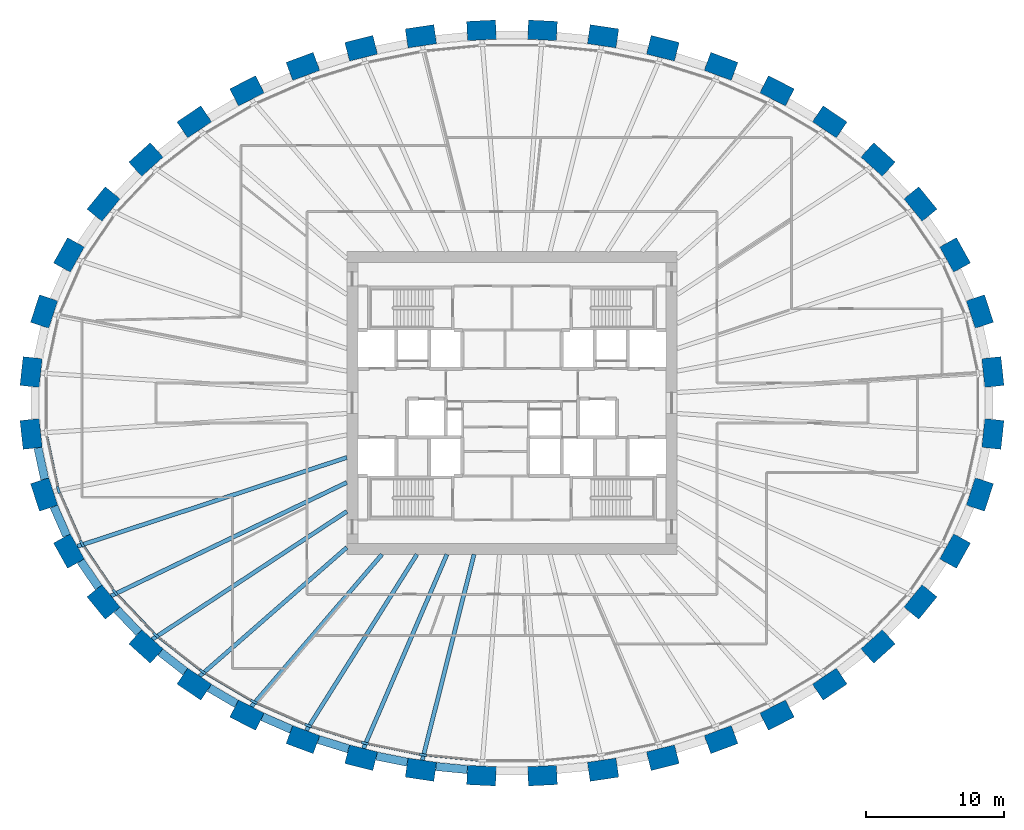
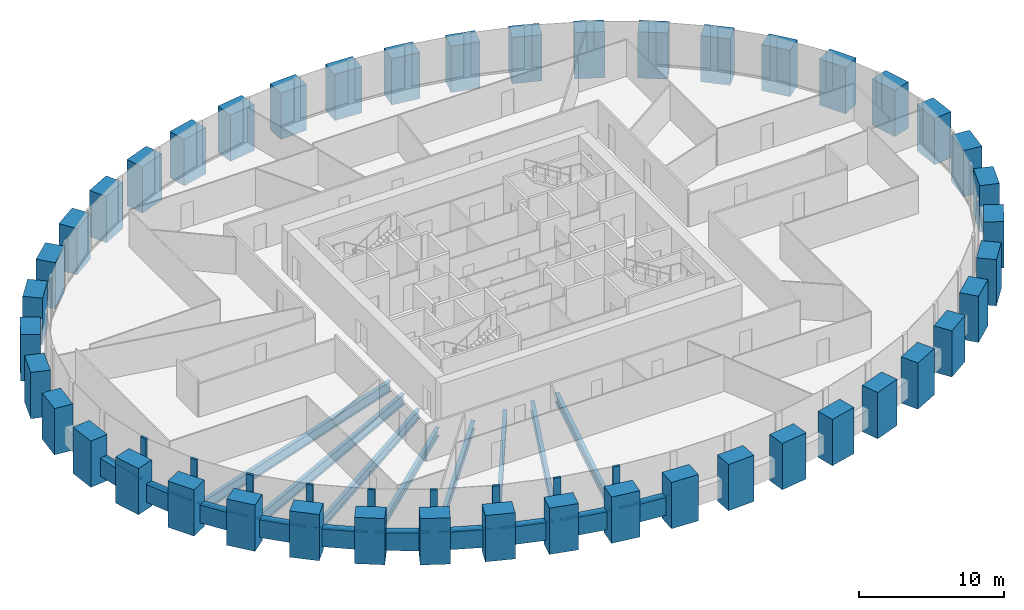
# One storey, part 1 of 11: 44 columns, 19 members, 18 beams, 1 element without a shape of its own.
"""IFC4 building model written with IfcOpenShell, lengths in metres."""

from ifc_helpers import new_model, si_unit, direction, frame, origin, origin_2d, place, context, subcontext, project, spatial, rectangle, i_section, extrude, source, transform, mapped, material, material_profile, profile_set, type_object, element, aggregate, save


model = new_model("IFC4")

# Units and contexts
model_context = context("Model", 3, precision=1e-05, world=origin(), true_north=direction((0.0, 1.0)))
body_context = subcontext(model_context, "Body", "Model", "MODEL_VIEW")
ifc_project = project(units=[si_unit("LENGTHUNIT", "METRE"), si_unit("AREAUNIT", "SQUARE_METRE"), si_unit("VOLUMEUNIT", "CUBIC_METRE"), si_unit("PLANEANGLEUNIT", "RADIAN"), si_unit("MASSUNIT", "GRAM", prefix="KILO")], contexts=[model_context])

# Site, building, storey
site_placement = place(None, origin())
site = spatial("IfcSite", under=ifc_project, at=site_placement, CompositionType="ELEMENT")
building_placement = place(site_placement, origin())
building = spatial("IfcBuilding", under=site, at=building_placement, Name="Embergate Tower", CompositionType="ELEMENT")
storey_placement = place(building_placement, frame((0.0, 0.0, 226.800048828125)))
storey = spatial("IfcBuildingStorey", under=building, at=storey_placement, Name="L52", CompositionType="ELEMENT", Elevation=226.800048828125)

# Columns
ifc_material_1 = material(Name="Concrete C60", Category="concrete")
ifc_material_profile_1 = material_profile(ifc_material_1, rectangle(XDim=1.39990234375, YDim=2.10009765625, at=origin_2d()), Name="RC 1400x2100")
ifc_profile_set_1 = profile_set([ifc_material_profile_1], Name="Concrete C60")
column_type = type_object("IfcColumnType", Name="Ring column RC 1400x2100 C60", PredefinedType="COLUMN", material=ifc_profile_set_1)
shared_shape_1 = source(origin(), body_context, "Body", "SweptSolid", [
    extrude(rectangle(XDim=1.39990234375, YDim=2.10009765625, at=origin_2d()), origin(), (0.0, 0.0, 1.0), 3.900146484375),
])
for number, where, z_axis, x_axis, name in (
    (1, (34.93505859375, 2.25, -1.400146484375), (0.0, 0.0, 1.0), (0.99428589498, 0.106749983816, 0.0), "COL-L52-00"),
    (2, (33.989990234375, 6.64501953125, -1.400146484375), (0.0, 0.0, 1.0), (0.950754033697, 0.309946394413, 0.0), "COL-L52-01"),
    (3, (32.18798828125, 10.75390625, -1.400146484375), (0.0, 0.0, 1.0), (0.873500465855, 0.486823311018, 0.0), "COL-L52-02"),
    (4, (29.672119140625, 14.455078125, -1.400146484375), (0.0, 0.0, 1.0), (0.775925311702, 0.630824786022, 0.0), "COL-L52-03"),
    (5, (26.592041015625, 17.68408203125, -1.400146484375), (0.0, 0.0, 1.0), (0.669221393633, 0.743063070206, 0.0), "COL-L52-04"),
    (6, (23.0830078125, 20.423095703125, -1.400146484375), (0.0, 0.0, 1.0), (0.560393279442, 0.828226643109, 0.0), "COL-L52-05"),
    (7, (19.2529296875, 22.675048828125, -1.400146484375), (0.0, 0.0, 1.0), (0.453010512651, 0.891505174089, 0.0), "COL-L52-06"),
    (8, (15.18896484375, 24.452880859375, -1.400146484375), (0.0, 0.0, 1.0), (0.348343015724, 0.93736713373, 0.0), "COL-L52-07"),
    (9, (10.9580078125, 25.77001953125, -1.400146484375), (0.0, 0.0, 1.0), (0.24650851817, 0.969140624713, 0.0), "COL-L52-08"),
    (10, (6.616943359375, 26.64111328125, -1.400146484375), (0.0, 0.0, 1.0), (0.146929011949, 0.989147039346, 0.0), "COL-L52-09"),
    (11, (2.212890625, 27.073974609375, -1.400146484375), (0.0, 0.0, 1.0), (0.048814904854, 0.998807841912, 0.0), "COL-L52-10"),
    (12, (-2.212890625, 27.073974609375, -1.400146484375), (0.0, 0.0, 1.0), (-0.048814904854, 0.998807841912, 0.0), "COL-L52-11"),
    (13, (-6.616943359375, 26.64111328125, -1.400146484375), (0.0, 0.0, 1.0), (-0.146929011949, 0.989147039346, 0.0), "COL-L52-12"),
    (14, (-10.9580078125, 25.77001953125, -1.400146484375), (0.0, 0.0, 1.0), (-0.24650851817, 0.969140624713, 0.0), "COL-L52-13"),
    (15, (-15.18896484375, 24.452880859375, -1.400146484375), (0.0, 0.0, 1.0), (-0.348343015724, 0.93736713373, 0.0), "COL-L52-14"),
    (16, (-19.2529296875, 22.675048828125, -1.400146484375), (0.0, 0.0, 1.0), (-0.453010512651, 0.891505174089, 0.0), "COL-L52-15"),
    (17, (-23.0830078125, 20.423095703125, -1.400146484375), (0.0, 0.0, 1.0), (-0.560393279442, 0.828226643109, 0.0), "COL-L52-16"),
    (18, (-26.592041015625, 17.68408203125, -1.400146484375), (0.0, 0.0, 1.0), (-0.669221393633, 0.743063070206, 0.0), "COL-L52-17"),
    (19, (-29.672119140625, 14.455078125, -1.400146484375), (0.0, 0.0, 1.0), (-0.775925311702, 0.630824786022, 0.0), "COL-L52-18"),
    (20, (-32.18798828125, 10.75390625, -1.400146484375), (0.0, 0.0, 1.0), (-0.873500465855, 0.486823311018, 0.0), "COL-L52-19"),
    (21, (-33.989990234375, 6.64501953125, -1.400146484375), (0.0, 0.0, 1.0), (-0.950754033697, 0.309946394413, 0.0), "COL-L52-20"),
    (22, (-34.93505859375, 2.25, -1.400146484375), (0.0, 0.0, 1.0), (-0.99428589498, 0.106749983816, 0.0), "COL-L52-21"),
    (23, (-34.93505859375, -2.25, -1.400146484375), (0.0, 0.0, 1.0), (-0.99428589498, -0.106749983816, 0.0), "COL-L52-22"),
    (24, (-33.989990234375, -6.64501953125, -1.400146484375), (0.0, 0.0, 1.0), (-0.950754033697, -0.309946394413, 0.0), "COL-L52-23"),
    (25, (-32.18798828125, -10.75390625, -1.400146484375), (0.0, 0.0, 1.0), (-0.873500465855, -0.486823311018, 0.0), "COL-L52-24"),
    (26, (-29.672119140625, -14.455078125, -1.400146484375), (0.0, 0.0, 1.0), (-0.775925311702, -0.630824786022, 0.0), "COL-L52-25"),
    (27, (-26.592041015625, -17.68408203125, -1.400146484375), (0.0, 0.0, 1.0), (-0.669221393633, -0.743063070206, 0.0), "COL-L52-26"),
    (28, (-23.0830078125, -20.423095703125, -1.400146484375), (0.0, 0.0, 1.0), (-0.560393279442, -0.828226643109, 0.0), "COL-L52-27"),
    (29, (-19.2529296875, -22.675048828125, -1.400146484375), (0.0, 0.0, 1.0), (-0.453010512651, -0.891505174089, 0.0), "COL-L52-28"),
    (30, (-15.18896484375, -24.452880859375, -1.400146484375), (0.0, 0.0, 1.0), (-0.348343015724, -0.93736713373, 0.0), "COL-L52-29"),
    (31, (-10.9580078125, -25.77001953125, -1.400146484375), (0.0, 0.0, 1.0), (-0.24650851817, -0.969140624713, 0.0), "COL-L52-30"),
    (32, (-6.616943359375, -26.64111328125, -1.400146484375), (0.0, 0.0, 1.0), (-0.146929011949, -0.989147039346, 0.0), "COL-L52-31"),
    (33, (-2.212890625, -27.073974609375, -1.400146484375), (0.0, 0.0, 1.0), (-0.048814904854, -0.998807841912, 0.0), "COL-L52-32"),
    (34, (2.212890625, -27.073974609375, -1.400146484375), (0.0, 0.0, 1.0), (0.048814904854, -0.998807841912, 0.0), "COL-L52-33"),
    (35, (6.616943359375, -26.64111328125, -1.400146484375), (0.0, 0.0, 1.0), (0.146929011949, -0.989147039346, 0.0), "COL-L52-34"),
    (36, (10.9580078125, -25.77001953125, -1.400146484375), (0.0, 0.0, 1.0), (0.24650851817, -0.969140624713, 0.0), "COL-L52-35"),
    (37, (15.18896484375, -24.452880859375, -1.400146484375), (0.0, 0.0, 1.0), (0.348343015724, -0.93736713373, 0.0), "COL-L52-36"),
    (38, (19.2529296875, -22.675048828125, -1.400146484375), (0.0, 0.0, 1.0), (0.453010512651, -0.891505174089, 0.0), "COL-L52-37"),
    (39, (23.0830078125, -20.423095703125, -1.400146484375), (0.0, 0.0, 1.0), (0.560393279442, -0.828226643109, 0.0), "COL-L52-38"),
    (40, (26.592041015625, -17.68408203125, -1.400146484375), (0.0, 0.0, 1.0), (0.669221393633, -0.743063070206, 0.0), "COL-L52-39"),
    (41, (29.672119140625, -14.455078125, -1.400146484375), (0.0, 0.0, 1.0), (0.775925311702, -0.630824786022, 0.0), "COL-L52-40"),
    (42, (32.18798828125, -10.75390625, -1.400146484375), (0.0, 0.0, 1.0), (0.873500465855, -0.486823311018, 0.0), "COL-L52-41"),
    (43, (33.989990234375, -6.64501953125, -1.400146484375), (0.0, 0.0, 1.0), (0.950754033697, -0.309946394413, 0.0), "COL-L52-42"),
    (44, (34.93505859375, -2.25, -1.400146484375), (0.0, 0.0, 1.0), (0.99428589498, -0.106749983816, 0.0), "COL-L52-43"),
):
    element("IfcColumn", number, at=place(storey_placement, frame(where, z_axis=z_axis, x_axis=x_axis)), inside=storey, type_object=column_type, Name=name, PredefinedType="COLUMN", context=body_context, shape_type="MappedRepresentation", body=[
        mapped(shared_shape_1, transform((0.0, 0.0, 0.0))),
    ])

# Beams
ifc_material_profile_2 = material_profile(ifc_material_1, rectangle(XDim=0.60009765625, YDim=1.5, at=origin_2d()), Name="RC 600x1500")
ifc_profile_set_2 = profile_set([ifc_material_profile_2], Name="Concrete C60")
beam_type_1 = type_object("IfcBeamType", Name="Spandrel beam RC 600x1500 C60", PredefinedType="BEAM", material=ifc_profile_set_2)
shared_shape_2 = source(origin(), body_context, "Body", "SweptSolid", [
    extrude(rectangle(XDim=0.60009765625, YDim=1.5, at=origin_2d()), origin(), (0.0, 0.0, 1.0), 2.326171875),
])
beam_1_placement = place(storey_placement, frame((-34.43701171875, -3.2529296875, 0.0), z_axis=(0.210224296762, -0.977653182397, 0.0), x_axis=(0.977653182397, 0.210224296762, 0.0)))
element("IfcBeam", 45, at=beam_1_placement, inside=storey, type_object=beam_type_1, Name="SPN-L52-22", PredefinedType="BEAM", context=body_context, shape_type="MappedRepresentation", body=[
    mapped(shared_shape_2, transform((0.0, 0.0, 0.0))),
])
shared_shape_3 = source(origin(), body_context, "Body", "SweptSolid", [
    extrude(rectangle(XDim=0.60009765625, YDim=1.5, at=origin_2d()), origin(), (0.0, 0.0, 1.0), 2.3193359375),
])
beam_2_placement = place(storey_placement, frame((-33.282958984375, -7.51904296875, 0.0), z_axis=(0.401768353021, -0.915741333844, 0.0), x_axis=(0.915741333844, 0.401768353021, 0.0)))
element("IfcBeam", 46, at=beam_2_placement, inside=storey, type_object=beam_type_1, Name="SPN-L52-23", PredefinedType="BEAM", context=body_context, shape_type="MappedRepresentation", body=[
    mapped(shared_shape_3, transform((0.0, 0.0, 0.0))),
])
shared_shape_4 = source(origin(), body_context, "Body", "SweptSolid", [
    extrude(rectangle(XDim=0.60009765625, YDim=1.5, at=origin_2d()), origin(), (0.0, 0.0, 1.0), 2.315673828125),
])
beam_3_placement = place(storey_placement, frame((-31.3349609375, -11.47998046875, 0.0), z_axis=(0.562243694996, -0.82697160014, 0.0), x_axis=(0.82697160014, 0.562243694996, 0.0)))
element("IfcBeam", 47, at=beam_3_placement, inside=storey, type_object=beam_type_1, Name="SPN-L52-24", PredefinedType="BEAM", context=body_context, shape_type="MappedRepresentation", body=[
    mapped(shared_shape_4, transform((0.0, 0.0, 0.0))),
])
shared_shape_5 = source(origin(), body_context, "Body", "SweptSolid", [
    extrude(rectangle(XDim=0.60009765625, YDim=1.5, at=origin_2d()), origin(), (0.0, 0.0, 1.0), 2.30712890625),
])
beam_4_placement = place(storey_placement, frame((-28.697998046875, -15.01611328125, 0.0), z_axis=(0.690460646057, -0.723369958076, 0.0), x_axis=(0.723369958076, 0.690460646057, 0.0)))
element("IfcBeam", 48, at=beam_4_placement, inside=storey, type_object=beam_type_1, Name="SPN-L52-25", PredefinedType="BEAM", context=body_context, shape_type="MappedRepresentation", body=[
    mapped(shared_shape_5, transform((0.0, 0.0, 0.0))),
])
shared_shape_6 = source(origin(), body_context, "Body", "SweptSolid", [
    extrude(rectangle(XDim=0.60009765625, YDim=1.5, at=origin_2d()), origin(), (0.0, 0.0, 1.0), 2.30224609375),
])
beam_5_placement = place(storey_placement, frame((-25.549072265625, -18.094970703125, 0.0), z_axis=(0.788466304813, -0.6150779513, 0.0), x_axis=(0.6150779513, 0.788466304813, 0.0)))
element("IfcBeam", 49, at=beam_5_placement, inside=storey, type_object=beam_type_1, Name="SPN-L52-26", PredefinedType="BEAM", context=body_context, shape_type="MappedRepresentation", body=[
    mapped(shared_shape_6, transform((0.0, 0.0, 0.0))),
])
shared_shape_7 = source(origin(), body_context, "Body", "SweptSolid", [
    extrude(rectangle(XDim=0.60009765625, YDim=1.5, at=origin_2d()), origin(), (0.0, 0.0, 1.0), 2.29931640625),
])
beam_6_placement = place(storey_placement, frame((-21.9970703125, -20.69189453125, 0.0), z_axis=(0.86211432003, -0.506713823769, 0.0), x_axis=(0.506713823769, 0.86211432003, 0.0)))
element("IfcBeam", 50, at=beam_6_placement, inside=storey, type_object=beam_type_1, Name="SPN-L52-27", PredefinedType="BEAM", context=body_context, shape_type="MappedRepresentation", body=[
    mapped(shared_shape_7, transform((0.0, 0.0, 0.0))),
])
shared_shape_8 = source(origin(), body_context, "Body", "SweptSolid", [
    extrude(rectangle(XDim=0.60009765625, YDim=1.5, at=origin_2d()), origin(), (0.0, 0.0, 1.0), 2.294189453125),
])
beam_7_placement = place(storey_placement, frame((-18.135986328125, -22.7939453125, 0.0), z_axis=(0.916269649714, -0.400562016437, 0.0), x_axis=(0.400562016437, 0.916269649714, 0.0)))
element("IfcBeam", 51, at=beam_7_placement, inside=storey, type_object=beam_type_1, Name="SPN-L52-28", PredefinedType="BEAM", context=body_context, shape_type="MappedRepresentation", body=[
    mapped(shared_shape_8, transform((0.0, 0.0, 0.0))),
])
shared_shape_9 = source(origin(), body_context, "Body", "SweptSolid", [
    extrude(rectangle(XDim=0.60009765625, YDim=1.5, at=origin_2d()), origin(), (0.0, 0.0, 1.0), 2.29248046875),
])
beam_8_placement = place(storey_placement, frame((-14.06689453125, -24.447021484375, 0.0), z_axis=(0.954869530389, -0.297025554345, 0.0), x_axis=(0.297025554345, 0.954869530389, 0.0)))
element("IfcBeam", 52, at=beam_8_placement, inside=storey, type_object=beam_type_1, Name="SPN-L52-29", PredefinedType="BEAM", context=body_context, shape_type="MappedRepresentation", body=[
    mapped(shared_shape_9, transform((0.0, 0.0, 0.0))),
])
shared_shape_10 = source(origin(), body_context, "Body", "SweptSolid", [
    extrude(rectangle(XDim=0.60009765625, YDim=1.5, at=origin_2d()), origin(), (0.0, 0.0, 1.0), 2.289794921875),
])
beam_9_placement = place(storey_placement, frame((-9.843017578125, -25.64794921875, 0.0), z_axis=(0.980502681686, -0.196505702735, 0.0), x_axis=(0.196505702735, 0.980502681686, 0.0)))
element("IfcBeam", 53, at=beam_9_placement, inside=storey, type_object=beam_type_1, Name="SPN-L52-30", PredefinedType="BEAM", context=body_context, shape_type="MappedRepresentation", body=[
    mapped(shared_shape_10, transform((0.0, 0.0, 0.0))),
])
shared_shape_11 = source(origin(), body_context, "Body", "SweptSolid", [
    extrude(rectangle(XDim=0.60009765625, YDim=1.5, at=origin_2d()), origin(), (0.0, 0.0, 1.0), 2.2890625),
])
beam_10_placement = place(storey_placement, frame((-5.52099609375, -26.407958984375, 0.0), z_axis=(0.995195366702, -0.097909050116, 0.0), x_axis=(0.097909050116, 0.995195366702, 0.0)))
element("IfcBeam", 54, at=beam_10_placement, inside=storey, type_object=beam_type_1, Name="SPN-L52-31", PredefinedType="BEAM", context=body_context, shape_type="MappedRepresentation", body=[
    mapped(shared_shape_11, transform((0.0, 0.0, 0.0))),
])
ifc_material_2 = material(Name="Steel Q355B", Category="steel")
ifc_material_profile_3 = material_profile(ifc_material_2, i_section(OverallWidth=0.300048828125, OverallDepth=0.89990234375, WebThickness=0.01611328125, FlangeThickness=0.028076171875, FilletRadius=0.028076171875, at=origin_2d()), Name="HN 900x300x16x28")
ifc_profile_set_3 = profile_set([ifc_material_profile_3], Name="Steel Q355 grade B")
beam_type_2 = type_object("IfcBeamType", Name="Radial girder HN 900x300x16x28", PredefinedType="BEAM", material=ifc_profile_set_3)
shared_shape_12 = source(origin(), body_context, "Body", "SweptSolid", [
    extrude(i_section(OverallWidth=0.300048828125, OverallDepth=0.89990234375, WebThickness=0.01611328125, FlangeThickness=0.028076171875, FilletRadius=0.028076171875, at=origin_2d()), origin(), (0.0, 0.0, 1.0), 20.614013671875),
])
beam_11_placement = place(storey_placement, frame((-31.576904296875, -10.4130859375, -0.650146484375), z_axis=(0.949691049508, 0.313188298767, 0.0), x_axis=(-0.313188298767, 0.949691049508, 0.0)))
element("IfcBeam", 55, at=beam_11_placement, inside=storey, type_object=beam_type_2, Name="GIR-L52-24", PredefinedType="BEAM", context=body_context, shape_type="MappedRepresentation", body=[
    mapped(shared_shape_12, transform((0.0, 0.0, 0.0))),
])
shared_shape_13 = source(origin(), body_context, "Body", "SweptSolid", [
    extrude(i_section(OverallWidth=0.300048828125, OverallDepth=0.89990234375, WebThickness=0.01611328125, FlangeThickness=0.028076171875, FilletRadius=0.028076171875, at=origin_2d()), origin(), (0.0, 0.0, 1.0), 19.0078125),
])
beam_12_placement = place(storey_placement, frame((-29.12890625, -14.012939453125, -0.650146484375), z_axis=(0.901150926949, 0.433505486538, 0.0), x_axis=(-0.433505486538, 0.901150926949, 0.0)))
element("IfcBeam", 56, at=beam_12_placement, inside=storey, type_object=beam_type_2, Name="GIR-L52-25", PredefinedType="BEAM", context=body_context, shape_type="MappedRepresentation", body=[
    mapped(shared_shape_13, transform((0.0, 0.0, 0.0))),
])
ifc_material_profile_4 = material_profile(ifc_material_2, i_section(OverallWidth=0.300048828125, OverallDepth=0.800048828125, WebThickness=0.013916015625, FlangeThickness=0.02587890625, FilletRadius=0.028076171875, at=origin_2d()), Name="HN 800x300x14x26")
ifc_profile_set_4 = profile_set([ifc_material_profile_4], Name="Steel Q355 grade B")
beam_type_3 = type_object("IfcBeamType", Name="Radial girder HN 800x300x14x26", PredefinedType="BEAM", material=ifc_profile_set_4)
shared_shape_14 = source(origin(), body_context, "Body", "SweptSolid", [
    extrude(i_section(OverallWidth=0.300048828125, OverallDepth=0.800048828125, WebThickness=0.013916015625, FlangeThickness=0.02587890625, FilletRadius=0.028076171875, at=origin_2d()), origin(), (0.0, 0.0, 1.0), 16.89990234375),
])
beam_13_placement = place(storey_placement, frame((-26.1240234375, -17.1640625, -0.60009765625), z_axis=(0.83574544769, 0.549117060986, 0.0), x_axis=(-0.549117060986, 0.83574544769, 0.0)))
element("IfcBeam", 57, at=beam_13_placement, inside=storey, type_object=beam_type_3, Name="GIR-L52-26", PredefinedType="BEAM", context=body_context, shape_type="MappedRepresentation", body=[
    mapped(shared_shape_14, transform((0.0, 0.0, 0.0))),
])
ifc_material_profile_5 = material_profile(ifc_material_2, i_section(OverallWidth=0.300048828125, OverallDepth=0.699951171875, WebThickness=0.012939453125, FlangeThickness=0.02392578125, FilletRadius=0.01806640625, at=origin_2d()), Name="HN 700x300x13x24")
ifc_profile_set_5 = profile_set([ifc_material_profile_5], Name="Steel Q355 grade B")
beam_type_4 = type_object("IfcBeamType", Name="Radial girder HN 700x300x13x24", PredefinedType="BEAM", material=ifc_profile_set_5)
shared_shape_15 = source(origin(), body_context, "Body", "SweptSolid", [
    extrude(i_section(OverallWidth=0.300048828125, OverallDepth=0.699951171875, WebThickness=0.012939453125, FlangeThickness=0.02392578125, FilletRadius=0.01806640625, at=origin_2d()), origin(), (0.0, 0.0, 1.0), 14.2021484375),
])
beam_14_placement = place(storey_placement, frame((-22.69091796875, -19.843017578125, -0.550048828125), z_axis=(0.752766213958, 0.658287951525, 0.0), x_axis=(-0.658287951525, 0.752766213958, 0.0)))
element("IfcBeam", 58, at=beam_14_placement, inside=storey, type_object=beam_type_4, Name="GIR-L52-27", PredefinedType="BEAM", context=body_context, shape_type="MappedRepresentation", body=[
    mapped(shared_shape_15, transform((0.0, 0.0, 0.0))),
])
shared_shape_16 = source(origin(), body_context, "Body", "SweptSolid", [
    extrude(i_section(OverallWidth=0.300048828125, OverallDepth=0.699951171875, WebThickness=0.012939453125, FlangeThickness=0.02392578125, FilletRadius=0.01806640625, at=origin_2d()), origin(), (0.0, 0.0, 1.0), 14.566650390625),
])
beam_15_placement = place(storey_placement, frame((-18.93603515625, -22.051025390625, -0.550048828125), z_axis=(0.651490890216, 0.758656457144, 0.0), x_axis=(-0.758656457144, 0.651490890216, 0.0)))
element("IfcBeam", 59, at=beam_15_placement, inside=storey, type_object=beam_type_4, Name="GIR-L52-28", PredefinedType="BEAM", context=body_context, shape_type="MappedRepresentation", body=[
    mapped(shared_shape_16, transform((0.0, 0.0, 0.0))),
])
shared_shape_17 = source(origin(), body_context, "Body", "SweptSolid", [
    extrude(i_section(OverallWidth=0.300048828125, OverallDepth=0.800048828125, WebThickness=0.013916015625, FlangeThickness=0.02587890625, FilletRadius=0.028076171875, at=origin_2d()), origin(), (0.0, 0.0, 1.0), 15.111572265625),
])
beam_16_placement = place(storey_placement, frame((-14.945068359375, -23.797119140625, -0.60009765625), z_axis=(0.531849241283, 0.846839054689, 0.0), x_axis=(-0.846839054689, 0.531849241283, 0.0)))
element("IfcBeam", 60, at=beam_16_placement, inside=storey, type_object=beam_type_3, Name="GIR-L52-29", PredefinedType="BEAM", context=body_context, shape_type="MappedRepresentation", body=[
    mapped(shared_shape_17, transform((0.0, 0.0, 0.0))),
])
shared_shape_18 = source(origin(), body_context, "Body", "SweptSolid", [
    extrude(i_section(OverallWidth=0.300048828125, OverallDepth=0.800048828125, WebThickness=0.013916015625, FlangeThickness=0.02587890625, FilletRadius=0.028076171875, at=origin_2d()), origin(), (0.0, 0.0, 1.0), 15.338623046875),
])
beam_17_placement = place(storey_placement, frame((-10.784912109375, -25.092041015625, -0.60009765625), z_axis=(0.394879579292, 0.91873288711, 0.0), x_axis=(-0.91873288711, 0.394879579292, 0.0)))
element("IfcBeam", 61, at=beam_17_placement, inside=storey, type_object=beam_type_3, Name="GIR-L52-30", PredefinedType="BEAM", context=body_context, shape_type="MappedRepresentation", body=[
    mapped(shared_shape_18, transform((0.0, 0.0, 0.0))),
])
shared_shape_19 = source(origin(), body_context, "Body", "SweptSolid", [
    extrude(i_section(OverallWidth=0.300048828125, OverallDepth=0.800048828125, WebThickness=0.013916015625, FlangeThickness=0.02587890625, FilletRadius=0.028076171875, at=origin_2d()), origin(), (0.0, 0.0, 1.0), 15.412841796875),
])
beam_18_placement = place(storey_placement, frame((-6.513916015625, -25.948974609375, -0.60009765625), z_axis=(0.243493364417, 0.969902562882, 0.0), x_axis=(-0.969902562882, 0.243493364417, 0.0)))
element("IfcBeam", 62, at=beam_18_placement, inside=storey, type_object=beam_type_3, Name="GIR-L52-31", PredefinedType="BEAM", context=body_context, shape_type="MappedRepresentation", body=[
    mapped(shared_shape_19, transform((0.0, 0.0, 0.0))),
])

# Curtain wall, members
ifc_material_3 = material(Name="Aluminium and glass", Category="aluminium")
curtain_wall_type = type_object("IfcCurtainWallType", Name="Recessed office glazing", PredefinedType="NOTDEFINED", material=ifc_material_3)
curtain_wall_placement = place(storey_placement, origin())
curtain_wall = element("IfcCurtainWall", 63, at=curtain_wall_placement, inside=storey, type_object=curtain_wall_type, Name="Recessed office glazing ring", ObjectType="RECESSED OFFICE GLAZING", PredefinedType="USERDEFINED")
ifc_material_4 = material(Name="Aluminium, thermally broken", Category="aluminium")
ifc_material_profile_6 = material_profile(ifc_material_4, rectangle(XDim=0.179931640625, YDim=0.52001953125, at=origin_2d()), Name="AL 520x180")
ifc_profile_set_6 = profile_set([ifc_material_profile_6], Name="Aluminium, thermally broken")
member_type_1 = type_object("IfcMemberType", Name="Office mullion", PredefinedType="MULLION", material=ifc_profile_set_6)
shared_shape_20 = source(origin(), body_context, "Body", "SweptSolid", [
    extrude(rectangle(XDim=0.179931640625, YDim=0.52001953125, at=origin_2d()), origin(), (0.0, 0.0, 1.0), 3.699951171875),
])
member_1_placement = place(storey_placement, frame((-32.953369140625, -6.307373046875, 0.0), z_axis=(0.0, 0.0, 1.0), x_axis=(0.951497261031, 0.307657215503, 0.0)))
member_1 = element("IfcMember", 64, at=member_1_placement, type_object=member_type_1, Name="CW mullion 24", PredefinedType="MULLION", context=body_context, shape_type="MappedRepresentation", body=[
    mapped(shared_shape_20, transform((0.0, 0.0, 0.0))),
])
member_2_placement = place(storey_placement, frame((-31.23583984375, -10.2236328125, 0.0), z_axis=(0.0, 0.0, 1.0), x_axis=(0.875001050883, 0.484121018914, 0.0)))
member_2 = element("IfcMember", 65, at=member_2_placement, type_object=member_type_1, Name="CW mullion 25", PredefinedType="MULLION", context=body_context, shape_type="MappedRepresentation", body=[
    mapped(shared_shape_20, transform((0.0, 0.0, 0.0))),
])
member_3_placement = place(storey_placement, frame((-28.826171875, -13.76708984375, 0.0), z_axis=(0.0, 0.0, 1.0), x_axis=(0.777872564355, 0.628422050555, 0.0)))
member_3 = element("IfcMember", 66, at=member_3_placement, type_object=member_type_1, Name="CW mullion 26", PredefinedType="MULLION", context=body_context, shape_type="MappedRepresentation", body=[
    mapped(shared_shape_20, transform((0.0, 0.0, 0.0))),
])
member_4_placement = place(storey_placement, frame((-25.86279296875, -16.87451171875, 0.0), z_axis=(0.0, 0.0, 1.0), x_axis=(0.671227827685, 0.741251106806, 0.0)))
member_4 = element("IfcMember", 67, at=member_4_placement, type_object=member_type_1, Name="CW mullion 27", PredefinedType="MULLION", context=body_context, shape_type="MappedRepresentation", body=[
    mapped(shared_shape_20, transform((0.0, 0.0, 0.0))),
])
member_5_placement = place(storey_placement, frame((-22.472412109375, -19.520751953125, 0.0), z_axis=(0.0, 0.0, 1.0), x_axis=(0.562219061911, 0.826988347211, 0.0)))
member_5 = element("IfcMember", 68, at=member_5_placement, type_object=member_type_1, Name="CW mullion 28", PredefinedType="MULLION", context=body_context, shape_type="MappedRepresentation", body=[
    mapped(shared_shape_20, transform((0.0, 0.0, 0.0))),
])
member_6_placement = place(storey_placement, frame((-18.759521484375, -21.70361328125, 0.0), z_axis=(0.0, 0.0, 1.0), x_axis=(0.454512935162, 0.89074013706, 0.0)))
member_6 = element("IfcMember", 69, at=member_6_placement, type_object=member_type_1, Name="CW mullion 29", PredefinedType="MULLION", context=body_context, shape_type="MappedRepresentation", body=[
    mapped(shared_shape_20, transform((0.0, 0.0, 0.0))),
])
member_7_placement = place(storey_placement, frame((-14.80908203125, -23.430908203125, 0.0), z_axis=(0.0, 0.0, 1.0), x_axis=(0.349504318111, 0.93693475313, 0.0)))
member_7 = element("IfcMember", 70, at=member_7_placement, type_object=member_type_1, Name="CW mullion 30", PredefinedType="MULLION", context=body_context, shape_type="MappedRepresentation", body=[
    mapped(shared_shape_20, transform((0.0, 0.0, 0.0))),
])
member_8_placement = place(storey_placement, frame((-10.689453125, -24.7138671875, 0.0), z_axis=(0.0, 0.0, 1.0), x_axis=(0.247313572481, 0.968935496752, 0.0)))
member_8 = element("IfcMember", 71, at=member_8_placement, type_object=member_type_1, Name="CW mullion 31", PredefinedType="MULLION", context=body_context, shape_type="MappedRepresentation", body=[
    mapped(shared_shape_20, transform((0.0, 0.0, 0.0))),
])
member_9_placement = place(storey_placement, frame((-6.456787109375, -25.562744140625, 0.0), z_axis=(0.0, 0.0, 1.0), x_axis=(0.14741410908, 0.98907486089, 0.0)))
member_9 = element("IfcMember", 72, at=member_9_placement, type_object=member_type_1, Name="CW mullion 32", PredefinedType="MULLION", context=body_context, shape_type="MappedRepresentation", body=[
    mapped(shared_shape_20, transform((0.0, 0.0, 0.0))),
])
ifc_material_profile_7 = material_profile(ifc_material_4, rectangle(XDim=0.179931640625, YDim=0.14990234375, at=origin_2d()), Name="AL 150x180")
ifc_profile_set_7 = profile_set([ifc_material_profile_7], Name="Aluminium, thermally broken")
member_type_2 = type_object("IfcMemberType", Name="Office sill transom", PredefinedType="USERDEFINED", material=ifc_profile_set_7)
shared_shape_21 = source(origin(), body_context, "Body", "SweptSolid", [
    extrude(rectangle(XDim=0.179931640625, YDim=0.14990234375, at=origin_2d()), origin(), (0.0, 0.0, 1.0), 3.74951171875),
])
member_10_placement = place(storey_placement, frame((-33.797119140625, -2.3876953125, 0.074951171875), z_axis=(0.210445024694, -0.977605693305, 0.0), x_axis=(0.977605693305, 0.210445024694, 0.0)))
member_10 = element("IfcMember", 73, at=member_10_placement, type_object=member_type_2, Name="CW transom 23.1", ObjectType="TRANSOM", PredefinedType="USERDEFINED", context=body_context, shape_type="MappedRepresentation", body=[
    mapped(shared_shape_21, transform((0.0, 0.0, 0.0))),
])
shared_shape_22 = source(origin(), body_context, "Body", "SweptSolid", [
    extrude(rectangle(XDim=0.179931640625, YDim=0.14990234375, at=origin_2d()), origin(), (0.0, 0.0, 1.0), 3.756591796875),
])
member_11_placement = place(storey_placement, frame((-32.848876953125, -6.54541015625, 0.074951171875), z_axis=(0.401647151286, -0.9157944998, 0.0), x_axis=(0.9157944998, 0.401647151286, 0.0)))
member_11 = element("IfcMember", 74, at=member_11_placement, type_object=member_type_2, Name="CW transom 24.1", ObjectType="TRANSOM", PredefinedType="USERDEFINED", context=body_context, shape_type="MappedRepresentation", body=[
    mapped(shared_shape_22, transform((0.0, 0.0, 0.0))),
])
shared_shape_23 = source(origin(), body_context, "Body", "SweptSolid", [
    extrude(rectangle(XDim=0.179931640625, YDim=0.14990234375, at=origin_2d()), origin(), (0.0, 0.0, 1.0), 3.764892578125),
])
member_12_placement = place(storey_placement, frame((-31.089599609375, -10.438720703125, 0.074951171875), z_axis=(0.562338399761, -0.826907204077, 0.0), x_axis=(0.826907204077, 0.562338399761, 0.0)))
member_12 = element("IfcMember", 75, at=member_12_placement, type_object=member_type_2, Name="CW transom 25.1", ObjectType="TRANSOM", PredefinedType="USERDEFINED", context=body_context, shape_type="MappedRepresentation", body=[
    mapped(shared_shape_23, transform((0.0, 0.0, 0.0))),
])
shared_shape_24 = source(origin(), body_context, "Body", "SweptSolid", [
    extrude(rectangle(XDim=0.179931640625, YDim=0.14990234375, at=origin_2d()), origin(), (0.0, 0.0, 1.0), 3.773681640625),
])
member_13_placement = place(storey_placement, frame((-28.646484375, -13.955322265625, 0.074951171875), z_axis=(0.690118677227, -0.723696214818, 0.0), x_axis=(0.723696214818, 0.690118677227, 0.0)))
member_13 = element("IfcMember", 76, at=member_13_placement, type_object=member_type_2, Name="CW transom 26.1", ObjectType="TRANSOM", PredefinedType="USERDEFINED", context=body_context, shape_type="MappedRepresentation", body=[
    mapped(shared_shape_24, transform((0.0, 0.0, 0.0))),
])
shared_shape_25 = source(origin(), body_context, "Body", "SweptSolid", [
    extrude(rectangle(XDim=0.179931640625, YDim=0.14990234375, at=origin_2d()), origin(), (0.0, 0.0, 1.0), 3.781005859375),
])
member_14_placement = place(storey_placement, frame((-25.657958984375, -17.034423828125, 0.074951171875), z_axis=(0.788315019644, -0.615271834073, 0.0), x_axis=(0.615271834073, 0.788315019644, 0.0)))
member_14 = element("IfcMember", 77, at=member_14_placement, type_object=member_type_2, Name="CW transom 27.1", ObjectType="TRANSOM", PredefinedType="USERDEFINED", context=body_context, shape_type="MappedRepresentation", body=[
    mapped(shared_shape_25, transform((0.0, 0.0, 0.0))),
])
shared_shape_26 = source(origin(), body_context, "Body", "SweptSolid", [
    extrude(rectangle(XDim=0.179931640625, YDim=0.14990234375, at=origin_2d()), origin(), (0.0, 0.0, 1.0), 3.786865234375),
])
member_15_placement = place(storey_placement, frame((-22.248046875, -19.652587890625, 0.074951171875), z_axis=(0.862071738168, -0.506786264862, 0.0), x_axis=(0.506786264862, 0.862071738168, 0.0)))
member_15 = element("IfcMember", 78, at=member_15_placement, type_object=member_type_2, Name="CW transom 28.1", ObjectType="TRANSOM", PredefinedType="USERDEFINED", context=body_context, shape_type="MappedRepresentation", body=[
    mapped(shared_shape_26, transform((0.0, 0.0, 0.0))),
])
shared_shape_27 = source(origin(), body_context, "Body", "SweptSolid", [
    extrude(rectangle(XDim=0.179931640625, YDim=0.14990234375, at=origin_2d()), origin(), (0.0, 0.0, 1.0), 3.79150390625),
])
member_16_placement = place(storey_placement, frame((-18.521240234375, -21.807861328125, 0.074951171875), z_axis=(0.916232688924, -0.400646552146, 0.0), x_axis=(0.400646552146, 0.916232688924, 0.0)))
member_16 = element("IfcMember", 79, at=member_16_placement, type_object=member_type_2, Name="CW transom 29.1", ObjectType="TRANSOM", PredefinedType="USERDEFINED", context=body_context, shape_type="MappedRepresentation", body=[
    mapped(shared_shape_27, transform((0.0, 0.0, 0.0))),
])
shared_shape_28 = source(origin(), body_context, "Body", "SweptSolid", [
    extrude(rectangle(XDim=0.179931640625, YDim=0.14990234375, at=origin_2d()), origin(), (0.0, 0.0, 1.0), 3.794677734375),
])
member_17_placement = place(storey_placement, frame((-14.560791015625, -23.50830078125, 0.074951171875), z_axis=(0.954763453415, -0.297366353213, 0.0), x_axis=(0.297366353213, 0.954763453415, 0.0)))
member_17 = element("IfcMember", 80, at=member_17_placement, type_object=member_type_2, Name="CW transom 30.1", ObjectType="TRANSOM", PredefinedType="USERDEFINED", context=body_context, shape_type="MappedRepresentation", body=[
    mapped(shared_shape_28, transform((0.0, 0.0, 0.0))),
])
shared_shape_29 = source(origin(), body_context, "Body", "SweptSolid", [
    extrude(rectangle(XDim=0.179931640625, YDim=0.14990234375, at=origin_2d()), origin(), (0.0, 0.0, 1.0), 3.797119140625),
])
member_18_placement = place(storey_placement, frame((-10.4345703125, -24.76513671875, 0.074951171875), z_axis=(0.980479151748, -0.196623073385, 0.0), x_axis=(0.196623073385, 0.980479151748, 0.0)))
member_18 = element("IfcMember", 81, at=member_18_placement, type_object=member_type_2, Name="CW transom 31.1", ObjectType="TRANSOM", PredefinedType="USERDEFINED", context=body_context, shape_type="MappedRepresentation", body=[
    mapped(shared_shape_29, transform((0.0, 0.0, 0.0))),
])
shared_shape_30 = source(origin(), body_context, "Body", "SweptSolid", [
    extrude(rectangle(XDim=0.179931640625, YDim=0.14990234375, at=origin_2d()), origin(), (0.0, 0.0, 1.0), 3.798095703125),
])
member_19_placement = place(storey_placement, frame((-6.197998046875, -25.58837890625, 0.074951171875), z_axis=(0.995202542426, -0.097836085104, 0.0), x_axis=(0.097836085104, 0.995202542426, 0.0)))
member_19 = element("IfcMember", 82, at=member_19_placement, type_object=member_type_2, Name="CW transom 32.1", ObjectType="TRANSOM", PredefinedType="USERDEFINED", context=body_context, shape_type="MappedRepresentation", body=[
    mapped(shared_shape_30, transform((0.0, 0.0, 0.0))),
])
aggregate(curtain_wall, [member_1, member_2, member_3, member_4, member_5, member_6, member_7, member_8, member_9, member_10, member_11, member_12, member_13, member_14, member_15, member_16, member_17, member_18, member_19])

save(model, "model.ifc")
